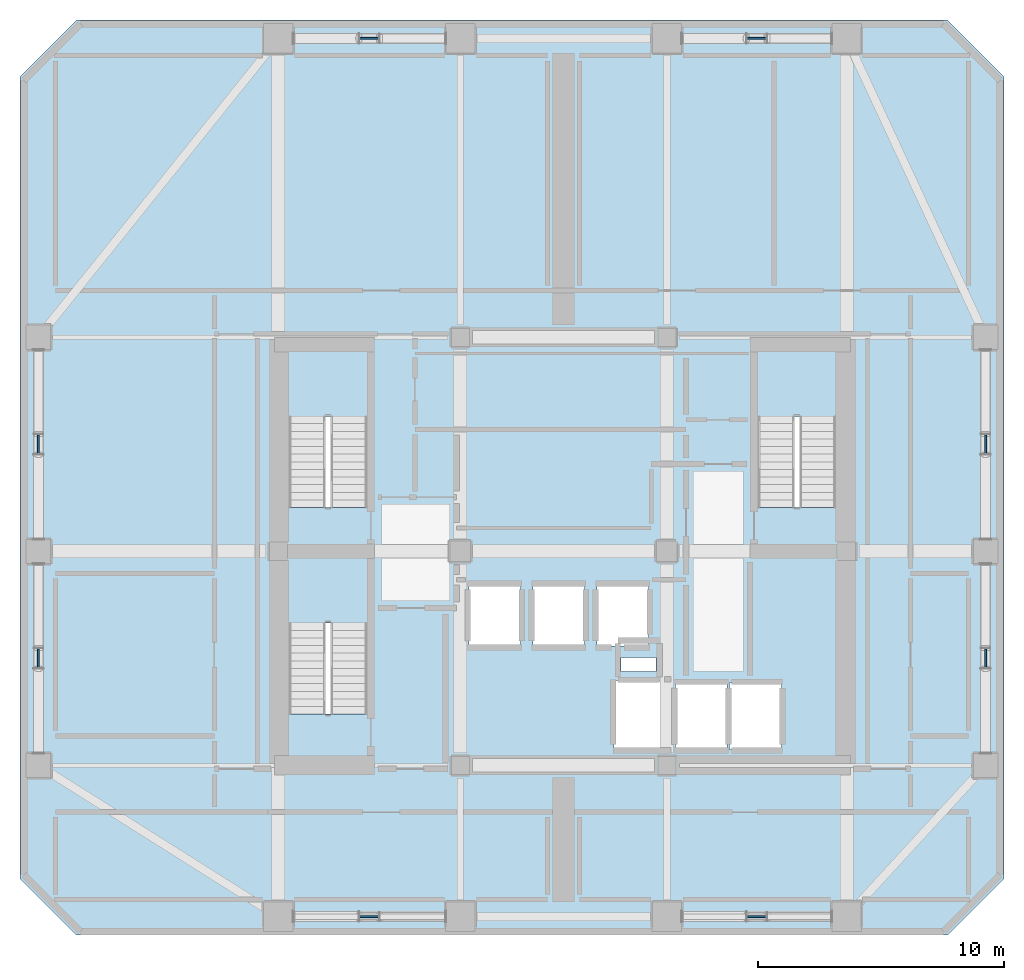
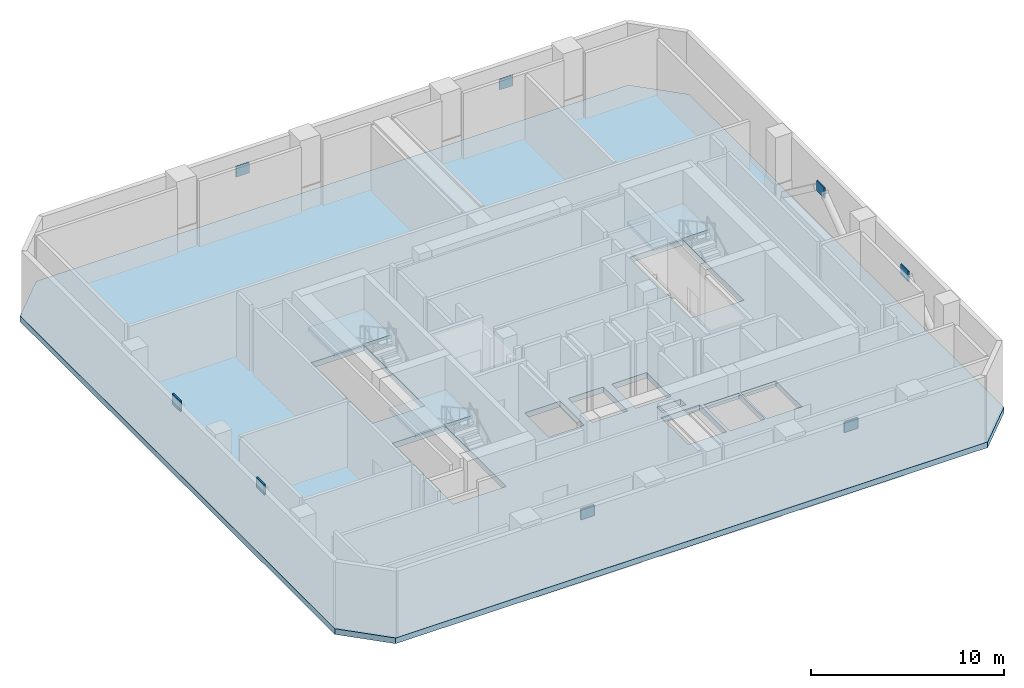
# One storey, part 2 of 12: 8 plates, 4 slabs, 3 elements without a shape of their own.
"""IFC4 building model written with IfcOpenShell, lengths in metres."""

from ifc_helpers import new_model, si_unit, direction, frame, origin, origin_2d, place, context, subcontext, project, spatial, polyline, rectangle, outline, extrude, material, layer, layer_set, type_object, element, aggregate, save


model = new_model("IFC4")

# Units and contexts
model_context = context("Model", 3, precision=1e-05, world=origin(), true_north=direction((0.0, 1.0)))
body_context = subcontext(model_context, "Body", "Model", "MODEL_VIEW")
ifc_project = project(units=[si_unit("LENGTHUNIT", "METRE"), si_unit("AREAUNIT", "SQUARE_METRE"), si_unit("VOLUMEUNIT", "CUBIC_METRE"), si_unit("PLANEANGLEUNIT", "RADIAN"), si_unit("MASSUNIT", "GRAM", prefix="KILO")], contexts=[model_context])

# Site, building, storey
site_placement = place(None, origin())
site = spatial("IfcSite", under=ifc_project, at=site_placement, CompositionType="ELEMENT")
building_placement = place(site_placement, origin())
building = spatial("IfcBuilding", under=site, at=building_placement, Name="Solanera Arch Residences", CompositionType="ELEMENT")
storey_placement = place(building_placement, frame((0.0, 0.0, 172.47998046875)))
storey = spatial("IfcBuildingStorey", under=building, at=storey_placement, Name="L50", CompositionType="ELEMENT", Elevation=172.47998046875)

# Plates
ifc_material_1 = material(Name="Steel S355 (ASTM A992 / A572 Grade 50)", Category="steel")
ifc_layer_1 = layer(ifc_material_1, 0.080078125)
ifc_layer_set_1 = layer_set([ifc_layer_1], Name="Steel S355 (ASTM A992 / A572 Grade 50)")
plate_type = type_object("IfcPlateType", Name="Gusset Plate GP-80B", PredefinedType="USERDEFINED", material=ifc_layer_set_1)
for number, where, z_axis, x_axis, name in (
    (1, (17.10009765625, 15.85009765625, 3.010009765625), (0.0, 0.0, 1.0), (1.0, 0.0, 0.0), "L50 Belt Truss Apex Gusset GP-80 1"),
    (2, (32.85009765625, 15.85009765625, 3.010009765625), (0.0, 0.0, 1.0), (1.0, 0.0, 0.0), "L50 Belt Truss Apex Gusset GP-80 2"),
    (3, (17.10009765625, 51.550048828125, 3.010009765625), (0.0, 0.0, 1.0), (1.0, 0.0, 0.0), "L50 Belt Truss Apex Gusset GP-80 3"),
    (4, (32.85009765625, 51.550048828125, 3.010009765625), (0.0, 0.0, 1.0), (1.0, 0.0, 0.0), "L50 Belt Truss Apex Gusset GP-80 4"),
):
    element("IfcPlate", number, at=place(storey_placement, frame(where, z_axis=z_axis, x_axis=x_axis)), inside=storey, type_object=plate_type, Name=name, ObjectType="GUSSET", PredefinedType="USERDEFINED", context=body_context, shape_type="SweptSolid", body=[
        extrude(rectangle(XDim=0.800048828125, YDim=0.080078125, at=origin_2d()), origin(), (0.0, 0.0, 1.0), 0.64990234375),
    ])
for number, where, z_axis, x_axis, name in (
    (5, (3.64990234375, 26.35009765625, 3.010009765625), (0.0, 0.0, 1.0), (1.0, 0.0, 0.0), "L50 Belt Truss Apex Gusset GP-80 5"),
    (6, (3.64990234375, 35.050048828125, 3.010009765625), (0.0, 0.0, 1.0), (1.0, 0.0, 0.0), "L50 Belt Truss Apex Gusset GP-80 6"),
    (7, (42.14990234375, 26.35009765625, 3.010009765625), (0.0, 0.0, 1.0), (1.0, 0.0, 0.0), "L50 Belt Truss Apex Gusset GP-80 7"),
    (8, (42.14990234375, 35.050048828125, 3.010009765625), (0.0, 0.0, 1.0), (1.0, 0.0, 0.0), "L50 Belt Truss Apex Gusset GP-80 8"),
):
    element("IfcPlate", number, at=place(storey_placement, frame(where, z_axis=z_axis, x_axis=x_axis)), inside=storey, type_object=plate_type, Name=name, ObjectType="GUSSET", PredefinedType="USERDEFINED", context=body_context, shape_type="SweptSolid", body=[
        extrude(rectangle(XDim=0.080078125, YDim=0.800048828125, at=origin_2d()), origin(), (0.0, 0.0, 1.0), 0.64990234375),
    ])

# Stair, slab
ifc_material_2 = material(Name="Concrete C40/50 (f'c = 45 MPa)", Category="concrete")
stair_type = type_object("IfcStairType", Name="Tower Dogleg Exit Stair 1480", PredefinedType="HALF_TURN_STAIR", material=ifc_material_2)
stair_1_placement = place(storey_placement, origin())
stair_1 = element("IfcStair", 9, at=stair_1_placement, inside=storey, type_object=stair_type, Name="L50 Tower Core Exit Stair 1", PredefinedType="HALF_TURN_STAIR")
ifc_material_3 = material(Name="Concrete C40/50 (f'c = 45 MPa)", Category="concrete")
ifc_layer_2 = layer(ifc_material_3, 0.199951171875)
ifc_layer_set_2 = layer_set([ifc_layer_2], Name="Concrete C40/50 (f'c = 45 MPa)")
slab_type_1 = type_object("IfcSlabType", Name="Stair Half-Landing Slab 200", PredefinedType="LANDING", material=ifc_layer_set_2)
slab_1_placement = place(storey_placement, frame((0.0, 0.0, 2.0)))
slab_1 = element("IfcSlab", 10, at=slab_1_placement, type_object=slab_type_1, Name="ST-T1 landing 1", PredefinedType="LANDING", context=body_context, shape_type="SweptSolid", body=[
    extrude(outline(polyline([(17.1201171875, 36.18994140625), (17.1201171875, 38.919921875), (13.719970703125, 38.919921875), (13.719970703125, 36.18994140625), (17.1201171875, 36.18994140625)])), origin(), (0.0, 0.0, 1.0), 0.199951171875),
])
aggregate(stair_1, [slab_1])

stair_2_placement = place(storey_placement, origin())
stair_2 = element("IfcStair", 11, at=stair_2_placement, inside=storey, type_object=stair_type, Name="L50 Tower Core Exit Stair 2", PredefinedType="HALF_TURN_STAIR")
slab_2_placement = place(storey_placement, frame((0.0, 0.0, 2.0)))
slab_2 = element("IfcSlab", 12, at=slab_2_placement, type_object=slab_type_1, Name="ST-T2 landing 1", PredefinedType="LANDING", context=body_context, shape_type="SweptSolid", body=[
    extrude(outline(polyline([(36.179931640625, 36.18994140625), (36.179931640625, 38.919921875), (32.780029296875, 38.919921875), (32.780029296875, 36.18994140625), (36.179931640625, 36.18994140625)])), origin(), (0.0, 0.0, 1.0), 0.199951171875),
])
aggregate(stair_2, [slab_2])

stair_3_placement = place(storey_placement, origin())
stair_3 = element("IfcStair", 13, at=stair_3_placement, inside=storey, type_object=stair_type, Name="L50 Tower Core Exit Stair 3", PredefinedType="HALF_TURN_STAIR")
slab_3_placement = place(storey_placement, frame((0.0, 0.0, 2.0)))
slab_3 = element("IfcSlab", 14, at=slab_3_placement, type_object=slab_type_1, Name="ST-T3 landing 1", PredefinedType="LANDING", context=body_context, shape_type="SweptSolid", body=[
    extrude(outline(polyline([(17.1201171875, 27.7900390625), (17.1201171875, 30.52001953125), (13.719970703125, 30.52001953125), (13.719970703125, 27.7900390625), (17.1201171875, 27.7900390625)])), origin(), (0.0, 0.0, 1.0), 0.199951171875),
])
aggregate(stair_3, [slab_3])

# Slab
ifc_material_4 = material(Name="Concrete C40/50 (f'c = 45 MPa)", Category="concrete")
ifc_layer_3 = layer(ifc_material_4, 0.360107421875)
ifc_layer_set_3 = layer_set([ifc_layer_3], Name="Concrete C40/50 (f'c = 45 MPa)")
slab_type_2 = type_object("IfcSlabType", Name="Suspended Floor Slab Post-Tensioned 360", PredefinedType="FLOOR", material=ifc_layer_set_3)
slab_4_placement = place(storey_placement, frame((0.0, 0.0, -0.35986328125)))
element("IfcSlab", 15, at=slab_4_placement, inside=storey, type_object=slab_type_2, Name="L50 Tower Post-Tensioned Floor Slab", PredefinedType="FLOOR", context=body_context, shape_type="SweptSolid", body=[
    extrude(outline(polyline([(5.199951171875, 15.10009765625), (40.60009765625, 15.10009765625), (42.89990234375, 17.39990234375), (42.89990234375, 50.0), (40.60009765625, 52.300048828125), (5.199951171875, 52.300048828125), (2.89990234375, 50.0), (2.89990234375, 17.39990234375), (5.199951171875, 15.10009765625)]), holes=[polyline([(13.840087890625, 32.48291015625), (13.840087890625, 38.800048828125), (17.0, 38.800048828125), (17.0, 32.48291015625), (13.840087890625, 32.48291015625)]), polyline([(32.89990234375, 32.48291015625), (32.89990234375, 38.800048828125), (36.06005859375, 38.800048828125), (36.06005859375, 32.48291015625), (32.89990234375, 32.48291015625)]), polyline([(13.840087890625, 24.0830078125), (13.840087890625, 30.39990234375), (17.0, 30.39990234375), (17.0, 24.0830078125), (13.840087890625, 24.0830078125)]), polyline([(21.14990234375, 29.35009765625), (23.25, 29.35009765625), (23.25, 26.85009765625), (21.14990234375, 26.85009765625), (21.14990234375, 29.35009765625)]), polyline([(23.75, 29.35009765625), (25.85009765625, 29.35009765625), (25.85009765625, 26.85009765625), (23.75, 26.85009765625), (23.75, 29.35009765625)]), polyline([(26.35009765625, 29.35009765625), (28.449951171875, 29.35009765625), (28.449951171875, 26.85009765625), (26.35009765625, 26.85009765625), (26.35009765625, 29.35009765625)]), polyline([(29.550048828125, 25.35009765625), (31.64990234375, 25.35009765625), (31.64990234375, 22.64990234375), (29.550048828125, 22.64990234375), (29.550048828125, 25.35009765625)]), polyline([(31.75, 25.35009765625), (33.85009765625, 25.35009765625), (33.85009765625, 22.64990234375), (31.75, 22.64990234375), (31.75, 25.35009765625)]), polyline([(27.050048828125, 25.449951171875), (29.35009765625, 25.449951171875), (29.35009765625, 22.64990234375), (27.050048828125, 22.64990234375), (27.050048828125, 25.449951171875)]), polyline([(27.340087890625, 26.3798828125), (28.760009765625, 26.3798828125), (28.760009765625, 25.820068359375), (27.340087890625, 25.820068359375), (27.340087890625, 26.3798828125)])]), origin(), (0.0, 0.0, 1.0), 0.35986328125),
])

save(model, "model.ifc")
